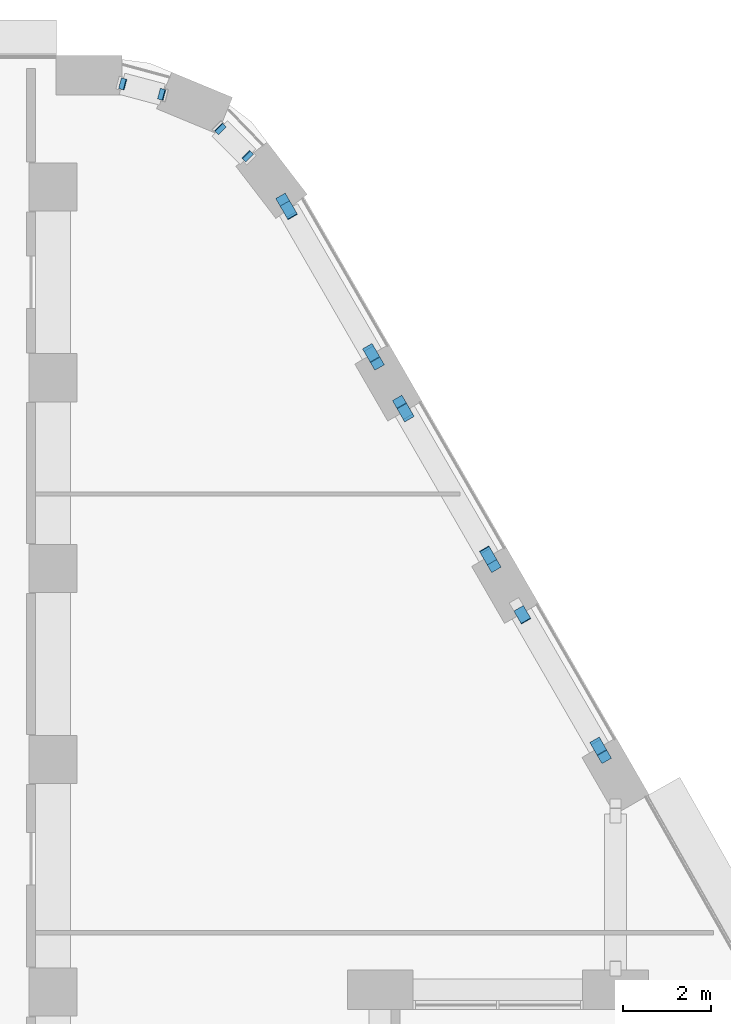
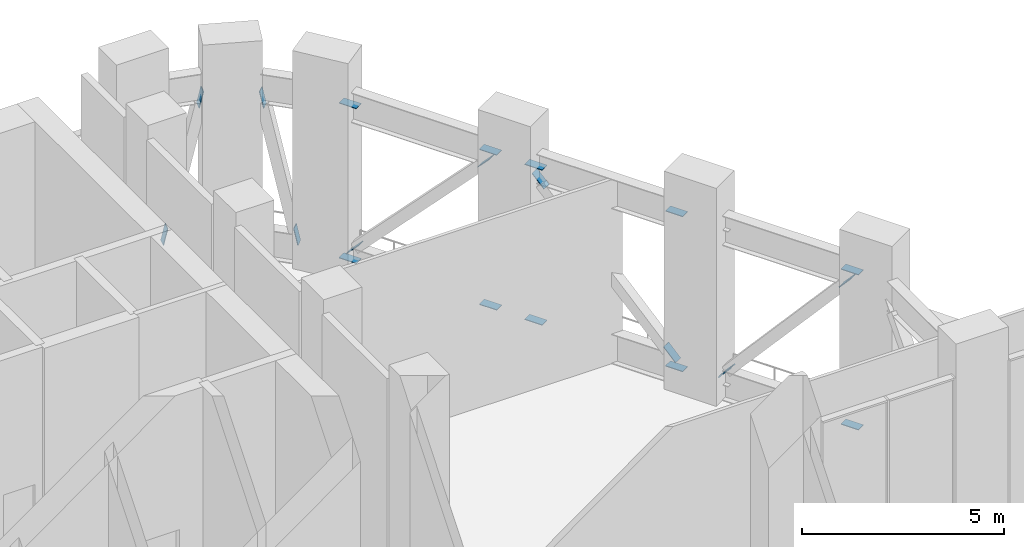
# One storey, part 15 of 20: 20 discrete accessories.
"""IFC4 building model written with IfcOpenShell, lengths in metres."""

from ifc_helpers import new_model, si_unit, direction, frame, origin, origin_2d, place, context, subcontext, project, spatial, rectangle, extrude, material, material_profile, profile_set, type_object, element, save


model = new_model("IFC4")

# Units and contexts
model_context = context("Model", 3, precision=1e-05, world=origin(), true_north=direction((0.0, 1.0)))
body_context = subcontext(model_context, "Body", "Model", "MODEL_VIEW")
ifc_project = project(units=[si_unit("LENGTHUNIT", "METRE"), si_unit("AREAUNIT", "SQUARE_METRE"), si_unit("VOLUMEUNIT", "CUBIC_METRE"), si_unit("PLANEANGLEUNIT", "RADIAN"), si_unit("MASSUNIT", "GRAM", prefix="KILO")], contexts=[model_context])

# Site, building, storey
site_placement = place(None, origin())
site = spatial("IfcSite", under=ifc_project, at=site_placement, CompositionType="ELEMENT")
building_placement = place(site_placement, origin())
building = spatial("IfcBuilding", under=site, at=building_placement, Name="Nakaniwa Court", CompositionType="ELEMENT")
storey_placement = place(building_placement, frame((0.0, 0.0, 71.10009765625)))
storey = spatial("IfcBuildingStorey", under=building, at=storey_placement, Name="S1", CompositionType="ELEMENT", Elevation=71.10009765625)

# Discrete accessories
ifc_material = material(Name="Steel Grade 350", Category="steel")
ifc_material_profile = material_profile(ifc_material, rectangle(XDim=0.25, YDim=0.02001953125, at=origin_2d()), Name="Truss end gusset plate 250x20")
ifc_profile_set = profile_set([ifc_material_profile], Name="Steel Grade 350")
discrete_accessory_type = type_object("IfcDiscreteAccessoryType", Name="Truss end gusset plate 250x20", PredefinedType="BRACKET", material=ifc_profile_set)
for number, where, z_axis, x_axis, name in (
    (1, (102.372802734375, 88.34912109375, 0.449951171875), (0.499919672301, -0.866071776036, 0.0), (0.866071776036, 0.499919672301, 0.0), "Gusset plate GU-174"),
    (2, (102.372802734375, 88.34912109375, 5.139892578125), (0.499919672301, -0.866071776036, 0.0), (0.866071776036, 0.499919672301, 0.0), "Gusset plate GU-176"),
):
    element("IfcDiscreteAccessory", number, at=place(storey_placement, frame(where, z_axis=z_axis, x_axis=x_axis)), inside=storey, type_object=discrete_accessory_type, Name=name, PredefinedType="BRACKET", context=body_context, shape_type="SweptSolid", body=[
        extrude(rectangle(XDim=0.25, YDim=0.02001953125, at=origin_2d()), origin(), (0.0, 0.0, 1.0), 0.5),
    ])
for number, where, z_axis, x_axis, name in (
    (3, (102.348388671875, 88.3916015625, 4.5771484375), (0.32998239271, -0.571611511632, 0.751246897013), (0.866050114754, 0.499957196903, 0.0), "Gusset plate GU-178"),
    (4, (100.782958984375, 91.102783203125, 1.0126953125), (-0.32998239271, 0.571611511632, -0.751246897013), (-0.866050114754, -0.499957196903, 0.0), "Gusset plate GU-179"),
):
    element("IfcDiscreteAccessory", number, at=place(storey_placement, frame(where, z_axis=z_axis, x_axis=x_axis)), inside=storey, type_object=discrete_accessory_type, Name=name, PredefinedType="BRACKET", context=body_context, shape_type="SweptSolid", body=[
        extrude(rectangle(XDim=0.25, YDim=0.02001953125, at=origin_2d()), origin(), (0.0, 0.0, 1.0), 0.500244140625),
    ])
discrete_accessory_1_placement = place(storey_placement, frame((99.8583984375, 92.7041015625, 0.449951171875), z_axis=(0.499919672301, -0.866071776036, 0.0), x_axis=(0.866071776036, 0.499919672301, 0.0)))
element("IfcDiscreteAccessory", 5, at=discrete_accessory_1_placement, inside=storey, type_object=discrete_accessory_type, Name="Gusset plate GU-180", PredefinedType="BRACKET", context=body_context, shape_type="SweptSolid", body=[
    extrude(rectangle(XDim=0.25, YDim=0.02001953125, at=origin_2d()), origin(), (0.0, 0.0, 1.0), 0.5),
])
discrete_accessory_2_placement = place(storey_placement, frame((98.095458984375, 95.7578125, 0.449951171875), z_axis=(-0.500131122175, 0.865949687125, 0.0), x_axis=(-0.865949687125, -0.500131122175, 0.0)))
element("IfcDiscreteAccessory", 6, at=discrete_accessory_2_placement, inside=storey, type_object=discrete_accessory_type, Name="Gusset plate GU-181", PredefinedType="BRACKET", context=body_context, shape_type="SweptSolid", body=[
    extrude(rectangle(XDim=0.25, YDim=0.02001953125, at=origin_2d()), origin(), (0.0, 0.0, 1.0), 0.499755859375),
])
discrete_accessory_3_placement = place(storey_placement, frame((99.8583984375, 92.7041015625, 5.139892578125), z_axis=(0.499919672301, -0.866071776036, 0.0), x_axis=(0.866071776036, 0.499919672301, 0.0)))
element("IfcDiscreteAccessory", 7, at=discrete_accessory_3_placement, inside=storey, type_object=discrete_accessory_type, Name="Gusset plate GU-182", PredefinedType="BRACKET", context=body_context, shape_type="SweptSolid", body=[
    extrude(rectangle(XDim=0.25, YDim=0.02001953125, at=origin_2d()), origin(), (0.0, 0.0, 1.0), 0.5),
])
discrete_accessory_4_placement = place(storey_placement, frame((98.095458984375, 95.7578125, 5.139892578125), z_axis=(-0.500131122175, 0.865949687125, 0.0), x_axis=(-0.865949687125, -0.500131122175, 0.0)))
element("IfcDiscreteAccessory", 8, at=discrete_accessory_4_placement, inside=storey, type_object=discrete_accessory_type, Name="Gusset plate GU-183", PredefinedType="BRACKET", context=body_context, shape_type="SweptSolid", body=[
    extrude(rectangle(XDim=0.25, YDim=0.02001953125, at=origin_2d()), origin(), (0.0, 0.0, 1.0), 0.499755859375),
])
for number, where, z_axis, x_axis, name in (
    (9, (99.83154296875, 92.75048828125, 1.00830078125), (0.345786195145, -0.598288261374, -0.722829899457), (0.865797030805, 0.500395345151, 0.0), "Gusset plate GU-184"),
    (10, (98.122314453125, 95.711181640625, 4.58154296875), (-0.345685158394, 0.598601700835, 0.722618692689), (-0.865973841288, -0.500089298231, 0.0), "Gusset plate GU-185"),
):
    element("IfcDiscreteAccessory", number, at=place(storey_placement, frame(where, z_axis=z_axis, x_axis=x_axis)), inside=storey, type_object=discrete_accessory_type, Name=name, PredefinedType="BRACKET", context=body_context, shape_type="SweptSolid", body=[
        extrude(rectangle(XDim=0.25, YDim=0.02001953125, at=origin_2d()), origin(), (0.0, 0.0, 1.0), 0.5),
    ])
discrete_accessory_5_placement = place(storey_placement, frame((97.195556640625, 97.31640625, 0.449951171875), z_axis=(0.500131122175, -0.865949687125, 0.0), x_axis=(0.865949687125, 0.500131122175, 0.0)))
element("IfcDiscreteAccessory", 11, at=discrete_accessory_5_placement, inside=storey, type_object=discrete_accessory_type, Name="Gusset plate GU-186", PredefinedType="BRACKET", context=body_context, shape_type="SweptSolid", body=[
    extrude(rectangle(XDim=0.25, YDim=0.02001953125, at=origin_2d()), origin(), (0.0, 0.0, 1.0), 0.499755859375),
])
discrete_accessory_6_placement = place(storey_placement, frame((95.435791015625, 100.364501953125, 0.449951171875), z_axis=(-0.499919672301, 0.866071776036, 0.0), x_axis=(-0.866071776036, -0.499919672301, 0.0)))
element("IfcDiscreteAccessory", 12, at=discrete_accessory_6_placement, inside=storey, type_object=discrete_accessory_type, Name="Gusset plate GU-187", PredefinedType="BRACKET", context=body_context, shape_type="SweptSolid", body=[
    extrude(rectangle(XDim=0.25, YDim=0.02001953125, at=origin_2d()), origin(), (0.0, 0.0, 1.0), 0.5),
])
discrete_accessory_7_placement = place(storey_placement, frame((97.195556640625, 97.31640625, 5.139892578125), z_axis=(0.500131122175, -0.865949687125, 0.0), x_axis=(0.865949687125, 0.500131122175, 0.0)))
element("IfcDiscreteAccessory", 13, at=discrete_accessory_7_placement, inside=storey, type_object=discrete_accessory_type, Name="Gusset plate GU-188", PredefinedType="BRACKET", context=body_context, shape_type="SweptSolid", body=[
    extrude(rectangle(XDim=0.25, YDim=0.02001953125, at=origin_2d()), origin(), (0.0, 0.0, 1.0), 0.499755859375),
])
for number, where, z_axis, x_axis, name in (
    (14, (95.435791015625, 100.364501953125, 5.139892578125), (-0.499919672301, 0.866071776036, 0.0), (-0.866071776036, -0.499919672301, 0.0), "Gusset plate GU-189"),
    (15, (97.168701171875, 97.36279296875, 4.581298828125), (0.345212991888, -0.597653043948, 0.723628930662), (0.865926356915, 0.500171514983, 0.0), "Gusset plate GU-190"),
    (16, (95.46240234375, 100.318115234375, 1.00830078125), (-0.34523414604, 0.598177975811, -0.723184965042), (-0.866103179807, -0.499865263774, 0.0), "Gusset plate GU-191"),
    (17, (94.3974609375, 101.736328125, 1.04638671875), (0.152325429068, -0.152813651597, -0.976445058129), (0.708237245493, 0.70597450669, 0.0), "Gusset plate GU-192"),
    (18, (93.851806640625, 102.28369140625, 4.54345703125), (-0.152325429068, 0.152813651597, 0.976445058129), (-0.708237245493, -0.70597450669, 0.0), "Gusset plate GU-193"),
    (19, (92.4248046875, 103.123779296875, 4.543701171875), (0.217242145123, -0.057605782302, 0.97441645318), (0.25631045488, 0.966594512047, 0.0), "Gusset plate GU-194"),
    (20, (91.64599609375, 103.331298828125, 1.046142578125), (-0.217242145123, 0.057605782302, -0.97441645318), (-0.25631045488, -0.966594512047, 0.0), "Gusset plate GU-195"),
):
    element("IfcDiscreteAccessory", number, at=place(storey_placement, frame(where, z_axis=z_axis, x_axis=x_axis)), inside=storey, type_object=discrete_accessory_type, Name=name, PredefinedType="BRACKET", context=body_context, shape_type="SweptSolid", body=[
        extrude(rectangle(XDim=0.25, YDim=0.02001953125, at=origin_2d()), origin(), (0.0, 0.0, 1.0), 0.5),
    ])

save(model, "model.ifc")
